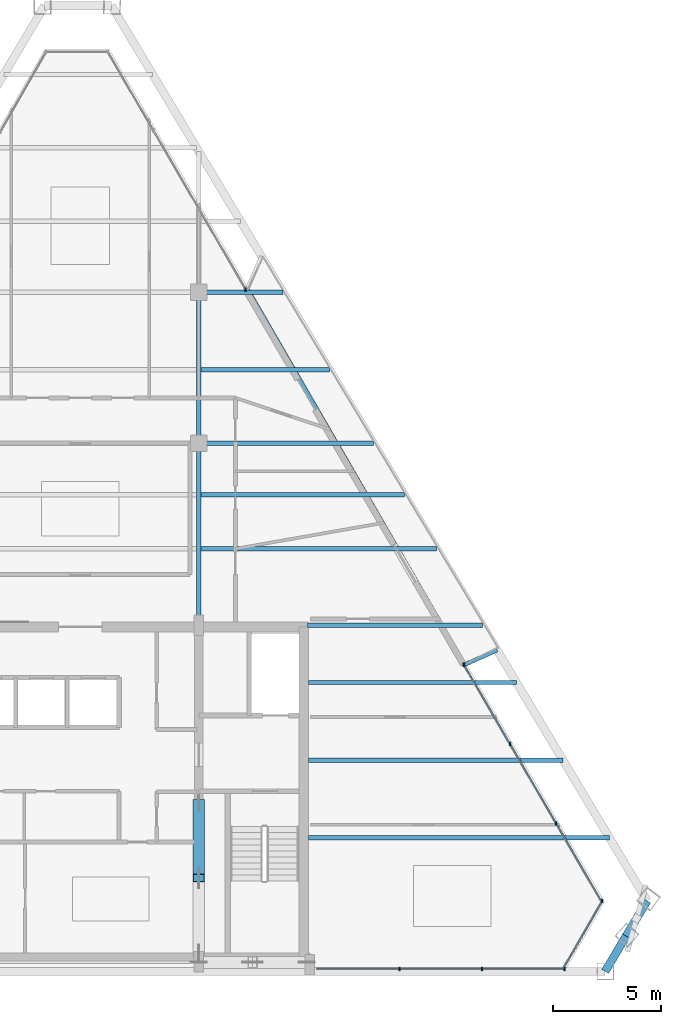
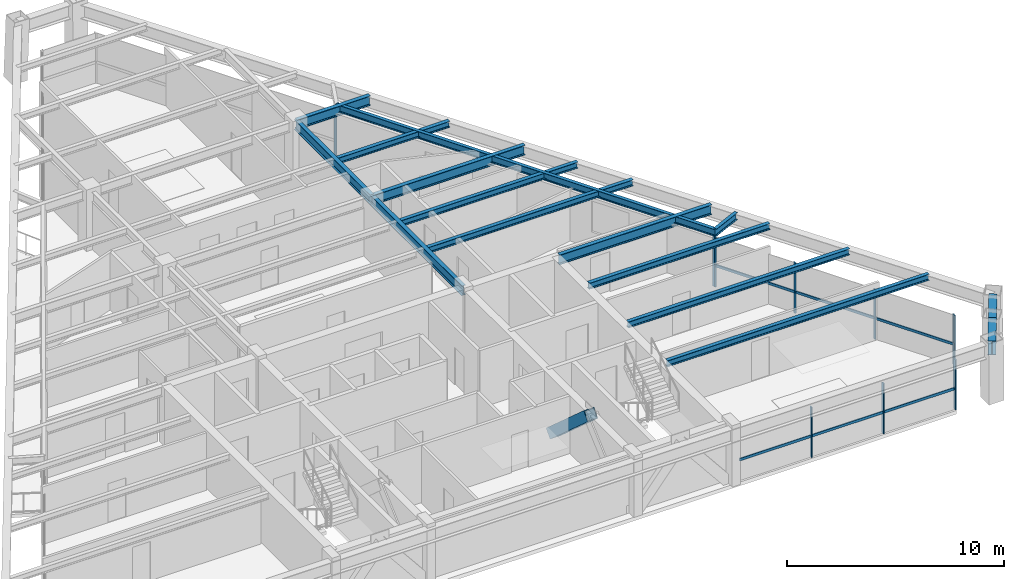
# One storey, part 5 of 13: 17 members, 15 beams, 4 elements without a shape of their own.
"""IFC4 building model written with IfcOpenShell, lengths in metres."""

from ifc_helpers import new_model, si_unit, direction, frame, origin, origin_2d, place, context, subcontext, project, spatial, rectangle, hollow_rectangle, i_section, extrude, source, transform, mapped, material, material_profile, profile_set, type_object, type_shapes, element, aggregate, save


model = new_model("IFC4")

# Units and contexts
model_context = context("Model", 3, precision=1e-05, world=origin(), true_north=direction((0.0, 1.0)))
body_context = subcontext(model_context, "Body", "Model", "MODEL_VIEW")
ifc_project = project(units=[si_unit("LENGTHUNIT", "METRE"), si_unit("AREAUNIT", "SQUARE_METRE"), si_unit("VOLUMEUNIT", "CUBIC_METRE"), si_unit("PLANEANGLEUNIT", "RADIAN"), si_unit("MASSUNIT", "GRAM", prefix="KILO")], contexts=[model_context])

# Site, building, storey
site_placement = place(None, origin())
site = spatial("IfcSite", under=ifc_project, at=site_placement, CompositionType="ELEMENT")
building_placement = place(site_placement, origin())
building = spatial("IfcBuilding", under=site, at=building_placement, Name="Varnakhor Terracotta Tower", CompositionType="ELEMENT")
storey_placement = place(building_placement, frame((0.0, 0.0, 290.25)))
storey = spatial("IfcBuildingStorey", under=building, at=storey_placement, Name="L76", CompositionType="ELEMENT", Elevation=290.25)

# Beams
ifc_material_1 = material(Name="Steel S355", Category="steel")
ifc_material_profile_1 = material_profile(ifc_material_1, i_section(OverallWidth=0.214111328125, OverallDepth=0.549072265625, WebThickness=0.014892578125, FlangeThickness=0.02392578125, FilletRadius=0.01806640625, at=origin_2d()), Name="W21X93")
ifc_profile_set_1 = profile_set([ifc_material_profile_1], Name="Steel S355")
beam_type_1 = type_object("IfcBeamType", Name="BM-W21X93", PredefinedType="BEAM", material=ifc_profile_set_1)
shared_shape_1 = source(origin(), body_context, "Body", "SweptSolid", [
    extrude(i_section(OverallWidth=0.214111328125, OverallDepth=0.549072265625, WebThickness=0.014892578125, FlangeThickness=0.02392578125, FilletRadius=0.01806640625, at=origin_2d()), origin(), (0.0, 0.0, 1.0), 8.449951171875),
])
type_shapes(beam_type_1, [shared_shape_1])
beam_1_placement = place(storey_placement, frame((5.5, 16.050048828125, 2.965576171875), z_axis=(0.0, 1.0, 0.0), x_axis=(-1.0, 0.0, 0.0)))
element("IfcBeam", 1, at=beam_1_placement, inside=storey, type_object=beam_type_1, Name="L76 Primary Girder NS1-E", PredefinedType="BEAM", context=body_context, shape_type="MappedRepresentation", body=[
    mapped(shared_shape_1, transform((0.0, 0.0, 0.0), scale=1.0)),
])
shared_shape_2 = source(origin(), body_context, "Body", "SweptSolid", [
    extrude(i_section(OverallWidth=0.214111328125, OverallDepth=0.549072265625, WebThickness=0.014892578125, FlangeThickness=0.02392578125, FilletRadius=0.01806640625, at=origin_2d()), origin(), (0.0, 0.0, 1.0), 7.0),
])
beam_2_placement = place(storey_placement, frame((5.5, 24.5, 2.965576171875), z_axis=(0.0, 1.0, 0.0), x_axis=(-1.0, 0.0, 0.0)))
element("IfcBeam", 2, at=beam_2_placement, inside=storey, type_object=beam_type_1, Name="L76 Primary Girder NS2-E", PredefinedType="BEAM", context=body_context, shape_type="MappedRepresentation", body=[
    mapped(shared_shape_2, transform((0.0, 0.0, 0.0), scale=1.0)),
])

# Member
ifc_material_profile_2 = material_profile(ifc_material_1, hollow_rectangle(XDim=0.550048828125, YDim=0.550048828125, WallThickness=0.034912109375, at=origin_2d()), Name="HSS550X550X35")
ifc_profile_set_2 = profile_set([ifc_material_profile_2], Name="Steel S355")
member_type_1 = type_object("IfcMemberType", Name="MBR-MEGA-550", PredefinedType="BRACE", material=ifc_profile_set_2)
shared_shape_3 = source(origin(), body_context, "Body", "SweptSolid", [
    extrude(hollow_rectangle(XDim=0.550048828125, YDim=0.550048828125, WallThickness=0.034912109375, at=origin_2d()), origin(), (0.0, 0.0, 1.0), 4.650146484375),
])
member_1_placement = place(storey_placement, frame((5.5, 7.800048828125, 0.0), z_axis=(0.0, -0.74729054724, 0.664497432655), x_axis=(1.0, 0.0, 0.0)))
element("IfcMember", 3, at=member_1_placement, inside=storey, type_object=member_type_1, Name="L76 Core Coupled Brace CWEB", PredefinedType="BRACE", context=body_context, shape_type="MappedRepresentation", body=[
    mapped(shared_shape_3, transform((0.0, 0.0, 0.0), scale=1.0)),
])

# Beams
ifc_material_profile_3 = material_profile(ifc_material_1, i_section(OverallWidth=0.381103515625, OverallDepth=0.77294921875, WebThickness=0.01708984375, FlangeThickness=0.027099609375, FilletRadius=0.01806640625, at=origin_2d()), Name="W30X173")
ifc_profile_set_3 = profile_set([ifc_material_profile_3], Name="Steel S355")
beam_type_2 = type_object("IfcBeamType", Name="BM-W30X173", PredefinedType="BEAM", material=ifc_profile_set_3)
shared_shape_4 = source(origin(), body_context, "Body", "SweptSolid", [
    extrude(i_section(OverallWidth=0.381103515625, OverallDepth=0.77294921875, WebThickness=0.01708984375, FlangeThickness=0.027099609375, FilletRadius=0.01806640625, at=origin_2d()), origin(), (0.0, 0.0, 1.0), 1.904296875),
])
for number, where, z_axis, x_axis, name in (
    (4, (24.34912109375, 0.0, 2.853515625), (0.510757931089, 0.859724569749, 0.0), (-0.859724569749, 0.510757931089, 0.0), "L76 Perimeter Spandrel 2"),
    (5, (25.32177734375, 1.63720703125, 2.853515625), (0.510663164091, 0.859780863267, 0.0), (-0.859780863267, 0.510663164091, 0.0), "L76 Perimeter Spandrel 3"),
):
    element("IfcBeam", number, at=place(storey_placement, frame(where, z_axis=z_axis, x_axis=x_axis)), inside=storey, type_object=beam_type_2, Name=name, PredefinedType="BEAM", context=body_context, shape_type="MappedRepresentation", body=[
        mapped(shared_shape_4, transform((0.0, 0.0, 0.0), scale=1.0)),
    ])
ifc_material_profile_4 = material_profile(ifc_material_1, i_section(OverallWidth=0.179931640625, OverallDepth=0.39990234375, WebThickness=0.008544921875, FlangeThickness=0.013427734375, FilletRadius=0.01806640625, at=origin_2d()), Name="IPE400")
ifc_profile_set_4 = profile_set([ifc_material_profile_4], Name="Steel S355")
beam_type_3 = type_object("IfcBeamType", Name="JST-IPE400", PredefinedType="JOIST", material=ifc_profile_set_4)
shared_shape_5 = source(origin(), body_context, "Body", "SweptSolid", [
    extrude(i_section(OverallWidth=0.179931640625, OverallDepth=0.39990234375, WebThickness=0.008544921875, FlangeThickness=0.013427734375, FilletRadius=0.01806640625, at=origin_2d()), origin(), (0.0, 0.0, 1.0), 20.144287109375),
])
beam_3_placement = place(storey_placement, frame((17.829833984375, 14.2236328125, 3.0400390625), z_axis=(-0.500524522513, 0.865722358706, 0.0), x_axis=(-0.865722358706, -0.500524522513, 0.0)))
element("IfcBeam", 6, at=beam_3_placement, inside=storey, type_object=beam_type_3, Name="L76 Loggia Edge Beam 1", PredefinedType="JOIST", context=body_context, shape_type="MappedRepresentation", body=[
    mapped(shared_shape_5, transform((0.0, 0.0, 0.0), scale=1.0)),
])
shared_shape_6 = source(origin(), body_context, "Body", "SweptSolid", [
    extrude(i_section(OverallWidth=0.214111328125, OverallDepth=0.549072265625, WebThickness=0.014892578125, FlangeThickness=0.02392578125, FilletRadius=0.01806640625, at=origin_2d()), origin(), (0.0, 0.0, 1.0), 8.099853515625),
])
beam_4_placement = place(storey_placement, frame((10.550048828125, 16.050048828125, 2.965576171875), z_axis=(1.0, 0.0, 0.0), x_axis=(0.0, 1.0, 0.0)))
element("IfcBeam", 7, at=beam_4_placement, inside=storey, type_object=beam_type_1, Name="L76 Wing Girder E", PredefinedType="BEAM", context=body_context, shape_type="MappedRepresentation", body=[
    mapped(shared_shape_6, transform((0.0, 0.0, 0.0), scale=1.0)),
])
shared_shape_7 = source(origin(), body_context, "Body", "SweptSolid", [
    extrude(i_section(OverallWidth=0.214111328125, OverallDepth=0.549072265625, WebThickness=0.014892578125, FlangeThickness=0.02392578125, FilletRadius=0.01806640625, at=origin_2d()), origin(), (0.0, 0.0, 1.0), 8.09375),
])
beam_5_placement = place(storey_placement, frame((5.5, 24.5, 2.965576171875), z_axis=(1.0, 0.0, 0.0), x_axis=(0.0, 1.0, 0.0)))
element("IfcBeam", 8, at=beam_5_placement, inside=storey, type_object=beam_type_1, Name="L76 Primary Girder EW2-3", PredefinedType="BEAM", context=body_context, shape_type="MappedRepresentation", body=[
    mapped(shared_shape_7, transform((0.0, 0.0, 0.0), scale=1.0)),
])
shared_shape_8 = source(origin(), body_context, "Body", "SweptSolid", [
    extrude(i_section(OverallWidth=0.214111328125, OverallDepth=0.549072265625, WebThickness=0.014892578125, FlangeThickness=0.02392578125, FilletRadius=0.01806640625, at=origin_2d()), origin(), (0.0, 0.0, 1.0), 3.9052734375),
])
beam_6_placement = place(storey_placement, frame((5.5, 31.5, 2.965576171875), z_axis=(1.0, 0.0, 0.0), x_axis=(0.0, 1.0, 0.0)))
element("IfcBeam", 9, at=beam_6_placement, inside=storey, type_object=beam_type_1, Name="L76 Primary Girder EW3-3", PredefinedType="BEAM", context=body_context, shape_type="MappedRepresentation", body=[
    mapped(shared_shape_8, transform((0.0, 0.0, 0.0), scale=1.0)),
])
ifc_material_profile_5 = material_profile(ifc_material_1, i_section(OverallWidth=0.202880859375, OverallDepth=0.346923828125, WebThickness=0.0078125, FlangeThickness=0.013427734375, FilletRadius=0.01806640625, at=origin_2d()), Name="W14X43")
ifc_profile_set_5 = profile_set([ifc_material_profile_5], Name="Steel S355")
beam_type_4 = type_object("IfcBeamType", Name="JST-W14X43", PredefinedType="JOIST", material=ifc_profile_set_5)
shared_shape_9 = source(origin(), body_context, "Body", "SweptSolid", [
    extrude(i_section(OverallWidth=0.202880859375, OverallDepth=0.346923828125, WebThickness=0.0078125, FlangeThickness=0.013427734375, FilletRadius=0.01806640625, at=origin_2d()), origin(), (0.0, 0.0, 1.0), 13.943603515625),
])
beam_7_placement = place(storey_placement, frame((10.60009765625, 6.199951171875, 3.06640625), z_axis=(1.0, 0.0, 0.0), x_axis=(0.0, 1.0, 0.0)))
element("IfcBeam", 10, at=beam_7_placement, inside=storey, type_object=beam_type_4, Name="L76 Floor Joist E1", PredefinedType="JOIST", context=body_context, shape_type="MappedRepresentation", body=[
    mapped(shared_shape_9, transform((0.0, 0.0, 0.0), scale=1.0)),
])
shared_shape_10 = source(origin(), body_context, "Body", "SweptSolid", [
    extrude(i_section(OverallWidth=0.202880859375, OverallDepth=0.346923828125, WebThickness=0.0078125, FlangeThickness=0.013427734375, FilletRadius=0.01806640625, at=origin_2d()), origin(), (0.0, 0.0, 1.0), 11.78955078125),
])
beam_8_placement = place(storey_placement, frame((10.60009765625, 9.800048828125, 3.06640625), z_axis=(1.0, 0.0, 0.0), x_axis=(0.0, 1.0, 0.0)))
element("IfcBeam", 11, at=beam_8_placement, inside=storey, type_object=beam_type_4, Name="L76 Floor Joist E2", PredefinedType="JOIST", context=body_context, shape_type="MappedRepresentation", body=[
    mapped(shared_shape_10, transform((0.0, 0.0, 0.0), scale=1.0)),
])
shared_shape_11 = source(origin(), body_context, "Body", "SweptSolid", [
    extrude(i_section(OverallWidth=0.202880859375, OverallDepth=0.346923828125, WebThickness=0.0078125, FlangeThickness=0.013427734375, FilletRadius=0.01806640625, at=origin_2d()), origin(), (0.0, 0.0, 1.0), 9.635498046875),
])
beam_9_placement = place(storey_placement, frame((10.60009765625, 13.39990234375, 3.06640625), z_axis=(1.0, 0.0, 0.0), x_axis=(0.0, 1.0, 0.0)))
element("IfcBeam", 12, at=beam_9_placement, inside=storey, type_object=beam_type_4, Name="L76 Floor Joist E3", PredefinedType="JOIST", context=body_context, shape_type="MappedRepresentation", body=[
    mapped(shared_shape_11, transform((0.0, 0.0, 0.0), scale=1.0)),
])
shared_shape_12 = source(origin(), body_context, "Body", "SweptSolid", [
    extrude(i_section(OverallWidth=0.202880859375, OverallDepth=0.346923828125, WebThickness=0.0078125, FlangeThickness=0.013427734375, FilletRadius=0.01806640625, at=origin_2d()), origin(), (0.0, 0.0, 1.0), 10.922607421875),
])
beam_10_placement = place(storey_placement, frame((5.60302734375, 19.60009765625, 3.06640625), z_axis=(1.0, 0.0, 0.0), x_axis=(0.0, 1.0, 0.0)))
element("IfcBeam", 13, at=beam_10_placement, inside=storey, type_object=beam_type_4, Name="L76 Composite Floor Joist 4-3", PredefinedType="JOIST", context=body_context, shape_type="MappedRepresentation", body=[
    mapped(shared_shape_12, transform((0.0, 0.0, 0.0), scale=1.0)),
])
shared_shape_13 = source(origin(), body_context, "Body", "SweptSolid", [
    extrude(i_section(OverallWidth=0.202880859375, OverallDepth=0.346923828125, WebThickness=0.0078125, FlangeThickness=0.013427734375, FilletRadius=0.01806640625, at=origin_2d()), origin(), (0.0, 0.0, 1.0), 9.4267578125),
])
beam_11_placement = place(storey_placement, frame((5.60302734375, 22.10009765625, 3.06640625), z_axis=(1.0, 0.0, 0.0), x_axis=(0.0, 1.0, 0.0)))
element("IfcBeam", 14, at=beam_11_placement, inside=storey, type_object=beam_type_4, Name="L76 Composite Floor Joist 5-3", PredefinedType="JOIST", context=body_context, shape_type="MappedRepresentation", body=[
    mapped(shared_shape_13, transform((0.0, 0.0, 0.0), scale=1.0)),
])
shared_shape_14 = source(origin(), body_context, "Body", "SweptSolid", [
    extrude(i_section(OverallWidth=0.202880859375, OverallDepth=0.346923828125, WebThickness=0.0078125, FlangeThickness=0.013427734375, FilletRadius=0.01806640625, at=origin_2d()), origin(), (0.0, 0.0, 1.0), 5.956298828125),
])
beam_12_placement = place(storey_placement, frame((5.60302734375, 27.89990234375, 3.06640625), z_axis=(1.0, 0.0, 0.0), x_axis=(0.0, 1.0, 0.0)))
element("IfcBeam", 15, at=beam_12_placement, inside=storey, type_object=beam_type_4, Name="L76 Composite Floor Joist 6-3", PredefinedType="JOIST", context=body_context, shape_type="MappedRepresentation", body=[
    mapped(shared_shape_14, transform((0.0, 0.0, 0.0), scale=1.0)),
])

# Curtain wall, members
ifc_material_2 = material(Name="Anodised Aluminium Curtain Wall System", Category="aluminium")
curtain_wall_type = type_object("IfcCurtainWallType", Name="CW-SYS-HOTEL-LOGGIA", PredefinedType="NOTDEFINED", material=ifc_material_2)
curtain_wall_1_placement = place(storey_placement, origin())
curtain_wall_1 = element("IfcCurtainWall", 16, at=curtain_wall_1_placement, inside=storey, type_object=curtain_wall_type, Name="L76 E Facet Curtain Wall 2", PredefinedType="NOTDEFINED")
ifc_material_3 = material(Name="Anodised Aluminium 6063-T6", Category="aluminium")
ifc_material_profile_6 = material_profile(ifc_material_3, rectangle(XDim=0.06494140625, YDim=0.159912109375, at=origin_2d()), Name="ALU MULLION 65x160")
ifc_profile_set_6 = profile_set([ifc_material_profile_6], Name="Anodised Aluminium 6063-T6")
member_type_2 = type_object("IfcMemberType", Name="CWM-04", PredefinedType="MULLION", material=ifc_profile_set_6)
shared_shape_15 = source(origin(), body_context, "Body", "SweptSolid", [
    extrude(rectangle(XDim=0.06494140625, YDim=0.159912109375, at=origin_2d()), origin(), (0.0, 0.0, 1.0), 2.820068359375),
])
type_shapes(member_type_2, [shared_shape_15])
member_2_placement = place(storey_placement, frame((17.80810546875, 14.21142578125, 0.0), z_axis=(0.0, 0.0, 1.0), x_axis=(1.0, 0.0, 0.0)))
member_2 = element("IfcMember", 17, at=member_2_placement, type_object=member_type_2, Name="L76 E Facet Curtain Wall 2 Mullion 1", PredefinedType="MULLION", context=body_context, shape_type="MappedRepresentation", body=[
    mapped(shared_shape_15, transform((0.0, 0.0, 0.0), scale=1.0)),
])
member_3_placement = place(storey_placement, frame((19.942626953125, 10.53857421875, 0.0), z_axis=(0.0, 0.0, 1.0), x_axis=(1.0, 0.0, 0.0)))
member_3 = element("IfcMember", 18, at=member_3_placement, type_object=member_type_2, Name="L76 E Facet Curtain Wall 2 Mullion 2", PredefinedType="MULLION", context=body_context, shape_type="MappedRepresentation", body=[
    mapped(shared_shape_15, transform((0.0, 0.0, 0.0), scale=1.0)),
])
member_4_placement = place(storey_placement, frame((22.076904296875, 6.865478515625, 0.0), z_axis=(0.0, 0.0, 1.0), x_axis=(1.0, 0.0, 0.0)))
member_4 = element("IfcMember", 19, at=member_4_placement, type_object=member_type_2, Name="L76 E Facet Curtain Wall 2 Mullion 3", PredefinedType="MULLION", context=body_context, shape_type="MappedRepresentation", body=[
    mapped(shared_shape_15, transform((0.0, 0.0, 0.0), scale=1.0)),
])

# Curtain wall, member
curtain_wall_2_placement = place(storey_placement, origin())
curtain_wall_2 = element("IfcCurtainWall", 20, at=curtain_wall_2_placement, inside=storey, type_object=curtain_wall_type, Name="L76 E Facet Curtain Wall 1", PredefinedType="NOTDEFINED")
member_5_placement = place(storey_placement, frame((7.66650390625, 31.624267578125, 0.0), z_axis=(0.0, 0.0, 1.0), x_axis=(1.0, 0.0, 0.0)))
member_5 = element("IfcMember", 21, at=member_5_placement, type_object=member_type_2, Name="L76 E Loggia Jamb Closure Mullion 1", PredefinedType="MULLION", context=body_context, shape_type="MappedRepresentation", body=[
    mapped(shared_shape_15, transform((0.0, 0.0, 0.0), scale=1.0)),
])
aggregate(curtain_wall_2, [member_5])

# Member
member_6_placement = place(storey_placement, frame((17.77587890625, 14.227294921875, 0.0), z_axis=(0.0, 0.0, 1.0), x_axis=(1.0, 0.0, 0.0)))
member_6 = element("IfcMember", 22, at=member_6_placement, type_object=member_type_2, Name="L76 E Loggia Jamb Closure Mullion 2", PredefinedType="MULLION", context=body_context, shape_type="MappedRepresentation", body=[
    mapped(shared_shape_15, transform((0.0, 0.0, 0.0), scale=1.0)),
])

# Curtain wall, member
curtain_wall_3_placement = place(storey_placement, origin())
curtain_wall_3 = element("IfcCurtainWall", 23, at=curtain_wall_3_placement, inside=storey, type_object=curtain_wall_type, Name="L76 Facet Curtain Wall 4", PredefinedType="NOTDEFINED")
member_7_placement = place(storey_placement, frame((24.211181640625, 3.2607421875, 0.0), z_axis=(0.0, 0.0, 1.0), x_axis=(1.0, 0.0, 0.0)))
member_7 = element("IfcMember", 24, at=member_7_placement, type_object=member_type_2, Name="L76 Facet Curtain Wall 4 Mullion 1", PredefinedType="MULLION", context=body_context, shape_type="MappedRepresentation", body=[
    mapped(shared_shape_15, transform((0.0, 0.0, 0.0), scale=1.0)),
])

# Curtain wall, members
curtain_wall_4_placement = place(storey_placement, origin())
curtain_wall_4 = element("IfcCurtainWall", 25, at=curtain_wall_4_placement, inside=storey, type_object=curtain_wall_type, Name="L76 South Wing Curtain Wall SSE", PredefinedType="NOTDEFINED")
member_8_placement = place(storey_placement, frame((22.466796875, 0.1201171875, 0.0), z_axis=(0.0, 0.0, 1.0), x_axis=(1.0, 0.0, 0.0)))
member_8 = element("IfcMember", 26, at=member_8_placement, type_object=member_type_2, Name="L76 South Wing Curtain Wall SSE Mullion 1", PredefinedType="MULLION", context=body_context, shape_type="MappedRepresentation", body=[
    mapped(shared_shape_15, transform((0.0, 0.0, 0.0), scale=1.0)),
])
member_9_placement = place(storey_placement, frame((18.634521484375, 0.1201171875, 0.0), z_axis=(0.0, 0.0, 1.0), x_axis=(1.0, 0.0, 0.0)))
member_9 = element("IfcMember", 27, at=member_9_placement, type_object=member_type_2, Name="L76 South Wing Curtain Wall SSE Mullion 2", PredefinedType="MULLION", context=body_context, shape_type="MappedRepresentation", body=[
    mapped(shared_shape_15, transform((0.0, 0.0, 0.0), scale=1.0)),
])
member_10_placement = place(storey_placement, frame((14.80224609375, 0.1201171875, 0.0), z_axis=(0.0, 0.0, 1.0), x_axis=(1.0, 0.0, 0.0)))
member_10 = element("IfcMember", 28, at=member_10_placement, type_object=member_type_2, Name="L76 South Wing Curtain Wall SSE Mullion 3", PredefinedType="MULLION", context=body_context, shape_type="MappedRepresentation", body=[
    mapped(shared_shape_15, transform((0.0, 0.0, 0.0), scale=1.0)),
])

# Member
ifc_material_profile_7 = material_profile(ifc_material_3, rectangle(XDim=0.06494140625, YDim=0.14501953125, at=origin_2d()), Name="ALU TRANSOM 65x145")
ifc_profile_set_7 = profile_set([ifc_material_profile_7], Name="Anodised Aluminium 6063-T6")
member_type_3 = type_object("IfcMemberType", Name="CWT-04", PredefinedType="USERDEFINED", material=ifc_profile_set_7)
shared_shape_16 = source(origin(), body_context, "Body", "SweptSolid", [
    extrude(rectangle(XDim=0.06494140625, YDim=0.14501953125, at=origin_2d()), origin(), (0.0, 0.0, 1.0), 4.248046875),
])
member_11_placement = place(storey_placement, frame((17.80810546875, 14.21142578125, 1.184326171875), z_axis=(0.502469617188, -0.864594866862, 0.0), x_axis=(0.864594866862, 0.502469617188, 0.0)))
member_11 = element("IfcMember", 29, at=member_11_placement, type_object=member_type_3, Name="L76 E Facet Curtain Wall 2 Transom 1", ObjectType="TRANSOM", PredefinedType="USERDEFINED", context=body_context, shape_type="MappedRepresentation", body=[
    mapped(shared_shape_16, transform((0.0, 0.0, 0.0), scale=1.0)),
])

member_12_placement = place(storey_placement, frame((19.942626953125, 10.53857421875, 1.184326171875), z_axis=(0.502401688714, -0.864634340735, 0.0), x_axis=(0.864634340735, 0.502401688714, 0.0)))
member_12 = element("IfcMember", 30, at=member_12_placement, type_object=member_type_3, Name="L76 E Facet Curtain Wall 2 Transom 2", ObjectType="TRANSOM", PredefinedType="USERDEFINED", context=body_context, shape_type="MappedRepresentation", body=[
    mapped(shared_shape_16, transform((0.0, 0.0, 0.0), scale=1.0)),
])

member_13_placement = place(storey_placement, frame((22.076904296875, 6.865478515625, 1.184326171875), z_axis=(0.502426654302, -0.864619833827, 0.0), x_axis=(0.864619833827, 0.502426654302, 0.0)))
member_13 = element("IfcMember", 31, at=member_13_placement, type_object=member_type_3, Name="L76 E Facet Curtain Wall 2 Transom 3", ObjectType="TRANSOM", PredefinedType="USERDEFINED", context=body_context, shape_type="MappedRepresentation", body=[
    mapped(shared_shape_16, transform((0.0, 0.0, 0.0), scale=1.0)),
])

aggregate(curtain_wall_1, [member_2, member_11, member_3, member_12, member_4, member_13, member_6])

shared_shape_17 = source(origin(), body_context, "Body", "SweptSolid", [
    extrude(rectangle(XDim=0.06494140625, YDim=0.14501953125, at=origin_2d()), origin(), (0.0, 0.0, 1.0), 3.661376953125),
])
member_14_placement = place(storey_placement, frame((24.211181640625, 3.2607421875, 1.184326171875), z_axis=(-0.498026322422, -0.867161912318, 0.0), x_axis=(0.867161912318, -0.498026322422, 0.0)))
member_14 = element("IfcMember", 32, at=member_14_placement, type_object=member_type_3, Name="L76 Facet Curtain Wall 4 Transom 1", ObjectType="TRANSOM", PredefinedType="USERDEFINED", context=body_context, shape_type="MappedRepresentation", body=[
    mapped(shared_shape_17, transform((0.0, 0.0, 0.0), scale=1.0)),
])

aggregate(curtain_wall_3, [member_7, member_14])

shared_shape_18 = source(origin(), body_context, "Body", "SweptSolid", [
    extrude(rectangle(XDim=0.06494140625, YDim=0.14501953125, at=origin_2d()), origin(), (0.0, 0.0, 1.0), 3.832275390625),
])
member_15_placement = place(storey_placement, frame((22.466796875, 0.1201171875, 1.184326171875), z_axis=(-1.0, 0.0, 0.0), x_axis=(0.0, -1.0, 0.0)))
member_15 = element("IfcMember", 33, at=member_15_placement, type_object=member_type_3, Name="L76 South Wing Curtain Wall SSE Transom 1", ObjectType="TRANSOM", PredefinedType="USERDEFINED", context=body_context, shape_type="MappedRepresentation", body=[
    mapped(shared_shape_18, transform((0.0, 0.0, 0.0), scale=1.0)),
])

member_16_placement = place(storey_placement, frame((18.634521484375, 0.1201171875, 1.184326171875), z_axis=(-1.0, 0.0, 0.0), x_axis=(0.0, -1.0, 0.0)))
member_16 = element("IfcMember", 34, at=member_16_placement, type_object=member_type_3, Name="L76 South Wing Curtain Wall SSE Transom 2", ObjectType="TRANSOM", PredefinedType="USERDEFINED", context=body_context, shape_type="MappedRepresentation", body=[
    mapped(shared_shape_18, transform((0.0, 0.0, 0.0), scale=1.0)),
])

member_17_placement = place(storey_placement, frame((14.80224609375, 0.1201171875, 1.184326171875), z_axis=(-1.0, 0.0, 0.0), x_axis=(0.0, -1.0, 0.0)))
member_17 = element("IfcMember", 35, at=member_17_placement, type_object=member_type_3, Name="L76 South Wing Curtain Wall SSE Transom 3", ObjectType="TRANSOM", PredefinedType="USERDEFINED", context=body_context, shape_type="MappedRepresentation", body=[
    mapped(shared_shape_18, transform((0.0, 0.0, 0.0), scale=1.0)),
])

aggregate(curtain_wall_4, [member_8, member_15, member_9, member_16, member_10, member_17])

# Beam
shared_shape_19 = source(origin(), body_context, "Body", "SweptSolid", [
    extrude(i_section(OverallWidth=0.179931640625, OverallDepth=0.39990234375, WebThickness=0.008544921875, FlangeThickness=0.013427734375, FilletRadius=0.01806640625, at=origin_2d()), origin(), (0.0, 0.0, 1.0), 1.65283203125),
])
beam_13_placement = place(storey_placement, frame((17.829833984375, 14.2236328125, 3.0400390625), z_axis=(0.912534038184, 0.409000769138, 0.0), x_axis=(-0.409000769138, 0.912534038184, 0.0)))
element("IfcBeam", 36, at=beam_13_placement, inside=storey, type_object=beam_type_3, Name="L77 E Loggia Tie Beam 2", PredefinedType="JOIST", context=body_context, shape_type="MappedRepresentation", body=[
    mapped(shared_shape_19, transform((0.0, 0.0, 0.0), scale=1.0)),
])

save(model, "model.ifc")
